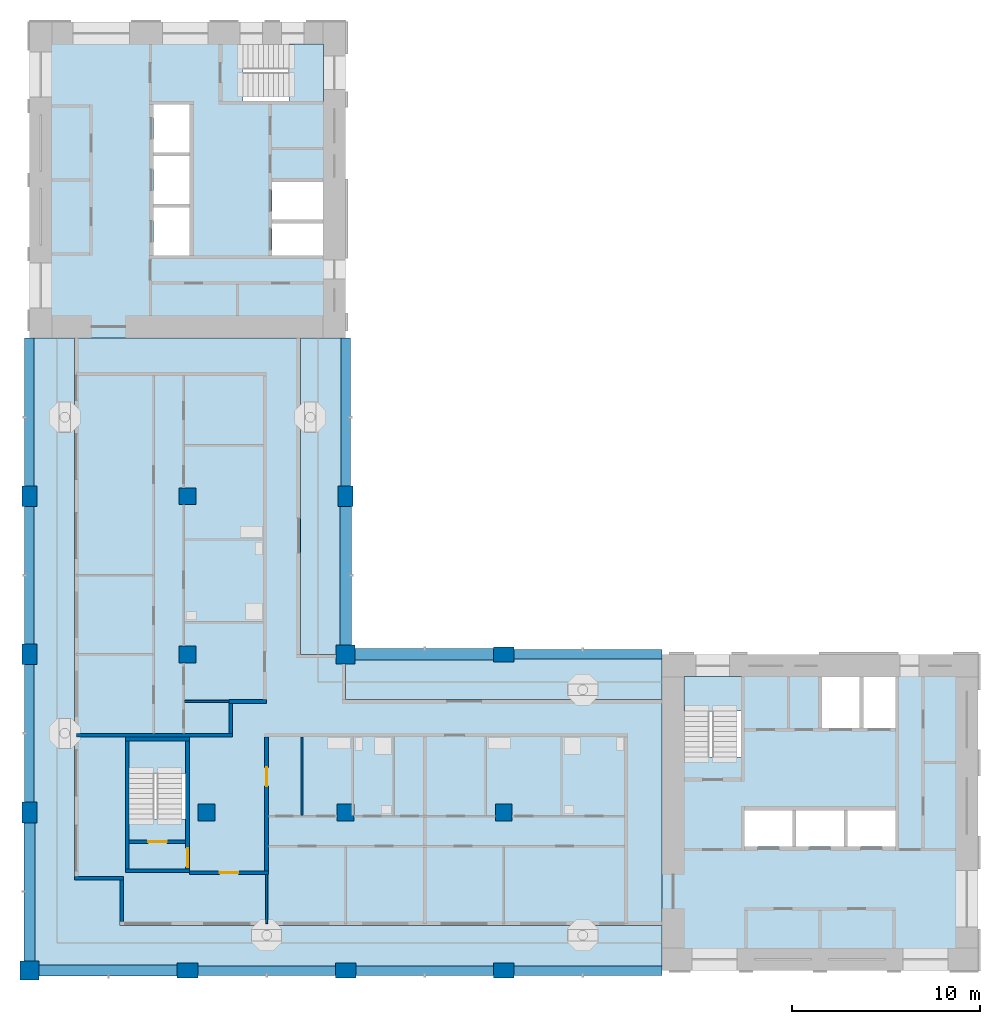
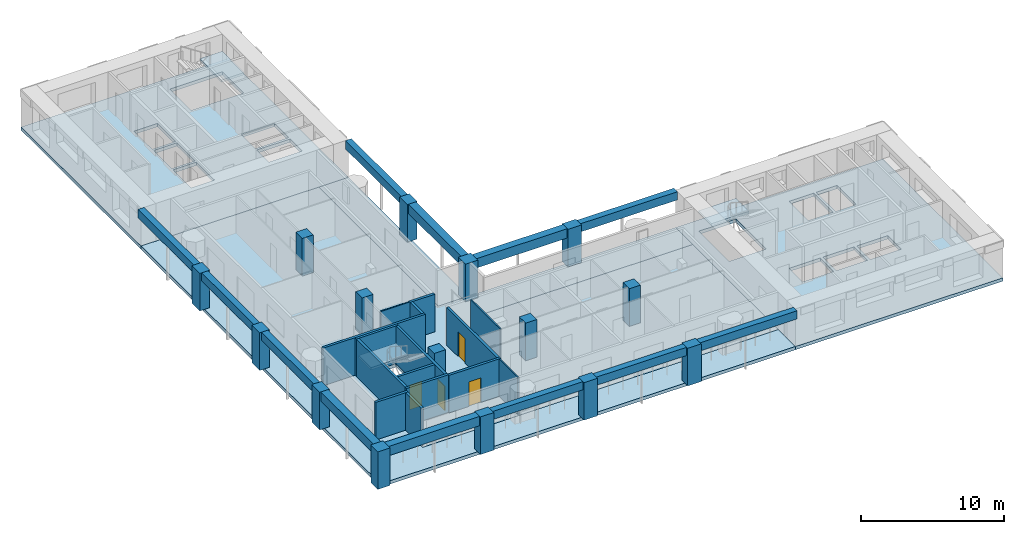
# One storey, part 1 of 11: 15 columns, 15 walls, 12 beams, 10 slabs, 4 doors, 4 openings, 3 elements without a shape of their own.
"""IFC4 building model written with IfcOpenShell, lengths in metres."""

from ifc_helpers import new_model, si_unit, direction, frame, frame_2d, origin, origin_2d, place, context, subcontext, project, spatial, polyline, rectangle, outline, extrude, material, layer, layer_set, material_profile, profile_set, type_object, element, fill, aggregate, save


model = new_model("IFC4")

# Units and contexts
model_context = context("Model", 3, precision=1e-05, world=origin(), true_north=direction((0.0, 1.0)))
body_context = subcontext(model_context, "Body", "Model", "MODEL_VIEW")
ifc_project = project(units=[si_unit("LENGTHUNIT", "METRE"), si_unit("AREAUNIT", "SQUARE_METRE"), si_unit("VOLUMEUNIT", "CUBIC_METRE"), si_unit("PLANEANGLEUNIT", "RADIAN"), si_unit("MASSUNIT", "GRAM", prefix="KILO")], contexts=[model_context])

# Site, building, storey
site_placement = place(None, origin())
site = spatial("IfcSite", under=ifc_project, at=site_placement, CompositionType="ELEMENT")
building_placement = place(site_placement, origin())
building = spatial("IfcBuilding", under=site, at=building_placement, Name="Vermilion Gate Residences", CompositionType="ELEMENT")
storey_placement = place(building_placement, frame((0.0, 0.0, 259.699951171875)))
storey = spatial("IfcBuildingStorey", under=building, at=storey_placement, Name="L68", CompositionType="ELEMENT", Elevation=259.699951171875)

# Columns
ifc_material_1 = material(Name="Concrete C50", Category="concrete")
ifc_material_profile_1 = material_profile(ifc_material_1, rectangle(XDim=1.0, YDim=1.0, at=origin_2d()), Name="RC-1000x1000")
ifc_profile_set_1 = profile_set([ifc_material_profile_1], Name="Concrete C50")
column_type_1 = type_object("IfcColumnType", Name="RC COLUMN 1000 X 1000 C50", PredefinedType="COLUMN", material=ifc_profile_set_1)
for number, where, z_axis, x_axis, name in (
    (1, (8.39990234375, 8.39990234375, 0.0), (0.0, 0.0, 1.0), (1.0, 0.0, 0.0), "Column 2-B L68"),
    (2, (25.199951171875, 25.199951171875, 0.0), (0.0, 0.0, 1.0), (1.0, 0.0, 0.0), "Column 4-D L68"),
):
    element("IfcColumn", number, at=place(storey_placement, frame(where, z_axis=z_axis, x_axis=x_axis)), inside=storey, type_object=column_type_1, Name=name, PredefinedType="COLUMN", context=body_context, shape_type="SweptSolid", body=[
        extrude(rectangle(XDim=1.0, YDim=1.0, at=origin_2d()), origin(), (0.0, 0.0, 1.0), 3.219970703125),
    ])
ifc_material_2 = material(Name="Concrete C50", Category="concrete")
ifc_material_profile_2 = material_profile(ifc_material_2, rectangle(XDim=1.10009765625, YDim=0.800048828125, at=origin_2d()), Name="RC-1100x800")
ifc_profile_set_2 = profile_set([ifc_material_profile_2], Name="Concrete C50")
column_type_2 = type_object("IfcColumnType", Name="RC COLUMN 1100 X 800 C50", PredefinedType="COLUMN", material=ifc_profile_set_2)
for number, where, z_axis, x_axis, name in (
    (3, (8.39990234375, 16.800048828125, 0.0), (0.0, 0.0, 1.0), (0.0, 1.0, 0.0), "Column 2-C L68"),
    (4, (8.39990234375, 25.199951171875, 0.0), (0.0, 0.0, 1.0), (0.0, 1.0, 0.0), "Column 2-D L68"),
    (5, (8.39990234375, 33.60009765625, 0.0), (0.0, 0.0, 1.0), (0.0, 1.0, 0.0), "Column 2-E L68"),
    (6, (16.800048828125, 8.39990234375, 0.0), (0.0, 0.0, 1.0), (1.0, 0.0, 0.0), "Column 3-B L68"),
    (7, (25.199951171875, 8.39990234375, 0.0), (0.0, 0.0, 1.0), (1.0, 0.0, 0.0), "Column 4-B L68"),
    (8, (25.199951171875, 33.60009765625, 0.0), (0.0, 0.0, 1.0), (0.0, 1.0, 0.0), "Column 4-E L68"),
    (9, (33.60009765625, 8.39990234375, 0.0), (0.0, 0.0, 1.0), (1.0, 0.0, 0.0), "Column 5-B L68"),
    (10, (33.60009765625, 25.199951171875, 0.0), (0.0, 0.0, 1.0), (1.0, 0.0, 0.0), "Column 5-D L68"),
):
    element("IfcColumn", number, at=place(storey_placement, frame(where, z_axis=z_axis, x_axis=x_axis)), inside=storey, type_object=column_type_2, Name=name, PredefinedType="COLUMN", context=body_context, shape_type="SweptSolid", body=[
        extrude(rectangle(XDim=1.10009765625, YDim=0.800048828125, at=origin_2d()), origin(), (0.0, 0.0, 1.0), 3.219970703125),
    ])
ifc_material_3 = material(Name="Concrete C50", Category="concrete")
ifc_material_profile_3 = material_profile(ifc_material_3, rectangle(XDim=0.89990234375, YDim=0.89990234375, at=origin_2d()), Name="RC-900x900")
ifc_profile_set_3 = profile_set([ifc_material_profile_3], Name="Concrete C50")
column_type_3 = type_object("IfcColumnType", Name="RC COLUMN 900 X 900 C50", PredefinedType="COLUMN", material=ifc_profile_set_3)
for number, where, z_axis, x_axis, name in (
    (11, (17.800048828125, 16.800048828125, 0.0), (0.0, 0.0, 1.0), (1.0, 0.0, 0.0), "Column 3-C L68"),
    (12, (16.800048828125, 25.199951171875, 0.0), (0.0, 0.0, 1.0), (1.0, 0.0, 0.0), "Column 3-D L68"),
    (13, (16.800048828125, 33.60009765625, 0.0), (0.0, 0.0, 1.0), (1.0, 0.0, 0.0), "Column 3-E L68"),
    (14, (25.199951171875, 16.800048828125, 0.0), (0.0, 0.0, 1.0), (1.0, 0.0, 0.0), "Column 4-C L68"),
    (15, (33.60009765625, 16.800048828125, 0.0), (0.0, 0.0, 1.0), (1.0, 0.0, 0.0), "Column 5-C L68"),
):
    element("IfcColumn", number, at=place(storey_placement, frame(where, z_axis=z_axis, x_axis=x_axis)), inside=storey, type_object=column_type_3, Name=name, PredefinedType="COLUMN", context=body_context, shape_type="SweptSolid", body=[
        extrude(rectangle(XDim=0.89990234375, YDim=0.89990234375, at=origin_2d()), origin(), (0.0, 0.0, 1.0), 3.219970703125),
    ])

# Beams
ifc_material_4 = material(Name="Concrete C60 red-oxide pigmented", Category="concrete")
ifc_material_profile_4 = material_profile(ifc_material_4, rectangle(XDim=0.60009765625, YDim=0.800048828125, at=origin_2d()), Name="RC-600x800")
ifc_profile_set_4 = profile_set([ifc_material_profile_4], Name="Concrete C60 red-oxide pigmented")
beam_type_1 = type_object("IfcBeamType", Name="RC CORNER EDGE BEAM 600 X 800 C60", PredefinedType="BEAM", material=ifc_profile_set_4)
for number, where, z_axis, x_axis, name in (
    (16, (8.89990234375, 8.39990234375, 2.820068359375), (1.0, 0.0, 0.0), (0.0, 1.0, 0.0), "Corner edge beam L68 1"),
    (17, (8.39990234375, 8.89990234375, 2.820068359375), (0.0, 1.0, 0.0), (-1.0, 0.0, 0.0), "Corner edge beam L68 2"),
    (18, (25.199951171875, 25.699951171875, 2.820068359375), (0.0, 1.0, 0.0), (-1.0, 0.0, 0.0), "Corner edge beam L68 7"),
    (19, (25.699951171875, 25.199951171875, 2.820068359375), (1.0, 0.0, 0.0), (0.0, 1.0, 0.0), "Corner edge beam L68 10"),
):
    element("IfcBeam", number, at=place(storey_placement, frame(where, z_axis=z_axis, x_axis=x_axis)), inside=storey, type_object=beam_type_1, Name=name, PredefinedType="BEAM", context=body_context, shape_type="SweptSolid", body=[
        extrude(rectangle(XDim=0.60009765625, YDim=0.800048828125, at=origin_2d()), origin(), (0.0, 0.0, 1.0), 7.35009765625),
    ])
ifc_material_5 = material(Name="Concrete C60 red-oxide pigmented", Category="concrete")
ifc_material_profile_5 = material_profile(ifc_material_5, rectangle(XDim=0.5, YDim=0.699951171875, at=origin_2d()), Name="RC-500x700")
ifc_profile_set_5 = profile_set([ifc_material_profile_5], Name="Concrete C60 red-oxide pigmented")
beam_type_2 = type_object("IfcBeamType", Name="RC EDGE BEAM 500 X 700 C60", PredefinedType="BEAM", material=ifc_profile_set_5)
beam_1_placement = place(storey_placement, frame((8.39990234375, 17.35009765625, 2.8701171875), z_axis=(0.0, 1.0, 0.0), x_axis=(-1.0, 0.0, 0.0)))
element("IfcBeam", 20, at=beam_1_placement, inside=storey, type_object=beam_type_2, Name="Edge beam L68 3", PredefinedType="BEAM", context=body_context, shape_type="SweptSolid", body=[
    extrude(rectangle(XDim=0.5, YDim=0.699951171875, at=origin_2d()), origin(), (0.0, 0.0, 1.0), 7.2998046875),
])
beam_2_placement = place(storey_placement, frame((8.39990234375, 25.75, 2.8701171875), z_axis=(0.0, 1.0, 0.0), x_axis=(-1.0, 0.0, 0.0)))
element("IfcBeam", 21, at=beam_2_placement, inside=storey, type_object=beam_type_2, Name="Edge beam L68 4", PredefinedType="BEAM", context=body_context, shape_type="SweptSolid", body=[
    extrude(rectangle(XDim=0.5, YDim=0.699951171875, at=origin_2d()), origin(), (0.0, 0.0, 1.0), 7.300048828125),
])
beam_3_placement = place(storey_placement, frame((8.39990234375, 34.14990234375, 2.8701171875), z_axis=(0.0, 1.0, 0.0), x_axis=(-1.0, 0.0, 0.0)))
element("IfcBeam", 22, at=beam_3_placement, inside=storey, type_object=beam_type_2, Name="Edge beam L68 5", PredefinedType="BEAM", context=body_context, shape_type="SweptSolid", body=[
    extrude(rectangle(XDim=0.5, YDim=0.699951171875, at=origin_2d()), origin(), (0.0, 0.0, 1.0), 7.85009765625),
])
beam_4_placement = place(storey_placement, frame((17.35009765625, 8.39990234375, 2.8701171875), z_axis=(1.0, 0.0, 0.0), x_axis=(0.0, 1.0, 0.0)))
element("IfcBeam", 23, at=beam_4_placement, inside=storey, type_object=beam_type_2, Name="Edge beam L68 6", PredefinedType="BEAM", context=body_context, shape_type="SweptSolid", body=[
    extrude(rectangle(XDim=0.5, YDim=0.699951171875, at=origin_2d()), origin(), (0.0, 0.0, 1.0), 7.2998046875),
])
beam_5_placement = place(storey_placement, frame((25.199951171875, 34.14990234375, 2.8701171875), z_axis=(0.0, 1.0, 0.0), x_axis=(-1.0, 0.0, 0.0)))
element("IfcBeam", 24, at=beam_5_placement, inside=storey, type_object=beam_type_2, Name="Edge beam L68 8", PredefinedType="BEAM", context=body_context, shape_type="SweptSolid", body=[
    extrude(rectangle(XDim=0.5, YDim=0.699951171875, at=origin_2d()), origin(), (0.0, 0.0, 1.0), 7.85009765625),
])
beam_6_placement = place(storey_placement, frame((25.75, 8.39990234375, 2.8701171875), z_axis=(1.0, 0.0, 0.0), x_axis=(0.0, 1.0, 0.0)))
element("IfcBeam", 25, at=beam_6_placement, inside=storey, type_object=beam_type_2, Name="Edge beam L68 9", PredefinedType="BEAM", context=body_context, shape_type="SweptSolid", body=[
    extrude(rectangle(XDim=0.5, YDim=0.699951171875, at=origin_2d()), origin(), (0.0, 0.0, 1.0), 7.300048828125),
])
for number, where, z_axis, x_axis, name in (
    (26, (34.14990234375, 8.39990234375, 2.8701171875), (1.0, 0.0, 0.0), (0.0, 1.0, 0.0), "Edge beam L68 11"),
    (27, (34.14990234375, 25.199951171875, 2.8701171875), (1.0, 0.0, 0.0), (0.0, 1.0, 0.0), "Edge beam L68 12"),
):
    element("IfcBeam", number, at=place(storey_placement, frame(where, z_axis=z_axis, x_axis=x_axis)), inside=storey, type_object=beam_type_2, Name=name, PredefinedType="BEAM", context=body_context, shape_type="SweptSolid", body=[
        extrude(rectangle(XDim=0.5, YDim=0.699951171875, at=origin_2d()), origin(), (0.0, 0.0, 1.0), 7.85009765625),
    ])

# Slabs
ifc_material_6 = material(Name="Concrete C50", Category="concrete")
ifc_layer_1 = layer(ifc_material_6, 0.280029296875)
ifc_layer_set_1 = layer_set([ifc_layer_1], Name="RC CORE FLOOR SLAB 280 C50")
slab_type_1 = type_object("IfcSlabType", Name="RC CORE FLOOR SLAB 280 C50", PredefinedType="FLOOR", material=ifc_layer_set_1)
slab_1_placement = place(storey_placement, frame((0.0, 0.0, -0.280029296875)))
element("IfcSlab", 28, at=slab_1_placement, inside=storey, type_object=slab_type_1, Name="Core floor slab A68", PredefinedType="FLOOR", context=body_context, shape_type="SweptSolid", body=[
    extrude(outline(polyline([(42.0, 8.39990234375), (58.800048828125, 8.39990234375), (58.800048828125, 25.199951171875), (42.0, 25.199951171875), (42.0, 8.39990234375)]), holes=[polyline([(46.39990234375, 15.0), (46.39990234375, 16.89990234375), (48.933349609375, 16.89990234375), (48.933349609375, 15.0), (46.39990234375, 15.0)]), polyline([(49.13330078125, 16.89990234375), (51.666748046875, 16.89990234375), (51.666748046875, 15.0), (49.13330078125, 15.0), (49.13330078125, 16.89990234375)]), polyline([(51.86669921875, 16.89990234375), (54.39990234375, 16.89990234375), (54.39990234375, 15.0), (51.86669921875, 15.0), (51.86669921875, 16.89990234375)]), polyline([(43.199951171875, 19.75), (43.199951171875, 24.0), (46.199951171875, 24.0), (46.199951171875, 19.75), (43.199951171875, 19.75)]), polyline([(50.5, 24.0), (52.5, 24.0), (52.5, 21.300048828125), (50.5, 21.300048828125), (50.5, 24.0)]), polyline([(52.699951171875, 24.0), (54.39990234375, 24.0), (54.39990234375, 21.300048828125), (52.699951171875, 21.300048828125), (52.699951171875, 24.0)])]), origin(), (0.0, 0.0, 1.0), 0.280029296875),
])
slab_2_placement = place(storey_placement, frame((0.0, 0.0, -0.280029296875)))
element("IfcSlab", 29, at=slab_2_placement, inside=storey, type_object=slab_type_1, Name="Core floor slab B68", PredefinedType="FLOOR", context=body_context, shape_type="SweptSolid", body=[
    extrude(outline(polyline([(8.39990234375, 42.0), (25.199951171875, 42.0), (25.199951171875, 58.800048828125), (8.39990234375, 58.800048828125), (8.39990234375, 42.0)]), holes=[polyline([(21.300048828125, 46.39990234375), (21.300048828125, 48.10009765625), (24.0, 48.10009765625), (24.0, 46.39990234375), (21.300048828125, 46.39990234375)]), polyline([(15.0, 48.933349609375), (16.89990234375, 48.933349609375), (16.89990234375, 46.39990234375), (15.0, 46.39990234375), (15.0, 48.933349609375)]), polyline([(21.300048828125, 50.300048828125), (24.0, 50.300048828125), (24.0, 48.300048828125), (21.300048828125, 48.300048828125), (21.300048828125, 50.300048828125)]), polyline([(15.0, 49.13330078125), (15.0, 51.666748046875), (16.89990234375, 51.666748046875), (16.89990234375, 49.13330078125), (15.0, 49.13330078125)]), polyline([(15.0, 54.39990234375), (16.89990234375, 54.39990234375), (16.89990234375, 51.86669921875), (15.0, 51.86669921875), (15.0, 54.39990234375)]), polyline([(19.75, 57.60009765625), (24.0, 57.60009765625), (24.0, 54.60009765625), (19.75, 54.60009765625), (19.75, 57.60009765625)])]), origin(), (0.0, 0.0, 1.0), 0.280029296875),
])
slab_3_placement = place(storey_placement, frame((0.0, 0.0, -0.280029296875)))
element("IfcSlab", 30, at=slab_3_placement, inside=storey, type_object=slab_type_1, Name="Apex stair floor slab 68", PredefinedType="FLOOR", context=body_context, shape_type="SweptSolid", body=[
    extrude(outline(polyline([(13.5, 13.60009765625), (16.89990234375, 13.60009765625), (16.89990234375, 20.800048828125), (13.5, 20.800048828125), (13.5, 13.60009765625)]), holes=[polyline([(16.699951171875, 20.60009765625), (16.699951171875, 16.449951171875), (13.699951171875, 16.449951171875), (13.699951171875, 20.60009765625), (16.699951171875, 20.60009765625)])]), origin(), (0.0, 0.0, 1.0), 0.280029296875),
])
ifc_material_7 = material(Name="Concrete C50", Category="concrete")
ifc_layer_2 = layer(ifc_material_7, 0.280029296875)
ifc_layer_set_2 = layer_set([ifc_layer_2], Name="RC FLAT PLATE 280 C50")
slab_type_2 = type_object("IfcSlabType", Name="RC FLAT PLATE 280 C50", PredefinedType="FLOOR", material=ifc_layer_set_2)
slab_4_placement = place(storey_placement, frame((0.0, 0.0, -0.280029296875)))
element("IfcSlab", 31, at=slab_4_placement, inside=storey, type_object=slab_type_2, Name="Floor slab L68", PredefinedType="FLOOR", context=body_context, shape_type="SweptSolid", body=[
    extrude(outline(polyline([(22.800048828125, 25.199951171875), (22.800048828125, 42.0), (10.800048828125, 42.0), (10.800048828125, 13.199951171875), (13.199951171875, 13.199951171875), (13.199951171875, 10.800048828125), (42.0, 10.800048828125), (42.0, 22.800048828125), (25.199951171875, 22.800048828125), (25.199951171875, 25.199951171875), (22.800048828125, 25.199951171875)]), holes=[polyline([(13.5, 13.60009765625), (13.5, 20.800048828125), (16.89990234375, 20.800048828125), (16.89990234375, 13.60009765625), (13.5, 13.60009765625)])]), origin(), (0.0, 0.0, 1.0), 0.280029296875),
])
ifc_material_8 = material(Name="Concrete C50 red-oxide pigmented", Category="concrete")
ifc_layer_3 = layer(ifc_material_8, 0.280029296875)
ifc_layer_set_3 = layer_set([ifc_layer_3], Name="RC LOGGIA SLAB 280 C50")
slab_type_3 = type_object("IfcSlabType", Name="RC LOGGIA SLAB 280 C50", PredefinedType="FLOOR", material=ifc_layer_set_3)
slab_5_placement = place(storey_placement, frame((0.0, 0.0, -0.280029296875)))
element("IfcSlab", 32, at=slab_5_placement, inside=storey, type_object=slab_type_3, Name="Loggia slab L68", PredefinedType="FLOOR", context=body_context, shape_type="SweptSolid", body=[
    extrude(outline(polyline([(8.39990234375, 8.39990234375), (42.0, 8.39990234375), (42.0, 10.800048828125), (13.199951171875, 10.800048828125), (13.199951171875, 13.199951171875), (10.800048828125, 13.199951171875), (10.800048828125, 42.0), (8.39990234375, 42.0), (8.39990234375, 8.39990234375)])), origin(), (0.0, 0.0, 1.0), 0.280029296875),
])
slab_6_placement = place(storey_placement, frame((0.0, 0.0, -0.280029296875)))
element("IfcSlab", 33, at=slab_6_placement, inside=storey, type_object=slab_type_3, Name="Loggia slab L68", PredefinedType="FLOOR", context=body_context, shape_type="SweptSolid", body=[
    extrude(outline(polyline([(25.199951171875, 22.800048828125), (42.0, 22.800048828125), (42.0, 25.199951171875), (25.199951171875, 25.199951171875), (25.199951171875, 22.800048828125)])), origin(), (0.0, 0.0, 1.0), 0.280029296875),
])
slab_7_placement = place(storey_placement, frame((0.0, 0.0, -0.280029296875)))
element("IfcSlab", 34, at=slab_7_placement, inside=storey, type_object=slab_type_3, Name="Loggia slab L68", PredefinedType="FLOOR", context=body_context, shape_type="SweptSolid", body=[
    extrude(outline(polyline([(25.199951171875, 42.0), (22.800048828125, 42.0), (22.800048828125, 25.199951171875), (25.199951171875, 25.199951171875), (25.199951171875, 42.0)])), origin(), (0.0, 0.0, 1.0), 0.280029296875),
])

# Stair, slab
ifc_material_9 = material(Name="Concrete C50", Category="concrete")
stair_type = type_object("IfcStairType", Name="SPECIAL ESCAPE STAIR 1300", PredefinedType="HALF_TURN_STAIR", material=ifc_material_9)
stair_1_placement = place(storey_placement, origin())
stair_1 = element("IfcStair", 35, at=stair_1_placement, inside=storey, type_object=stair_type, Name="Special escape stair STA1-68", PredefinedType="HALF_TURN_STAIR")
ifc_material_10 = material(Name="Concrete C50", Category="concrete")
ifc_layer_4 = layer(ifc_material_10, 0.199951171875)
ifc_layer_set_4 = layer_set([ifc_layer_4], Name="STAIR LANDING 200 C50")
slab_type_4 = type_object("IfcSlabType", Name="STAIR LANDING 200 C50", PredefinedType="LANDING", material=ifc_layer_set_4)
slab_8_placement = place(storey_placement, frame((0.0, 0.0, 1.550048828125)))
slab_8 = element("IfcSlab", 36, at=slab_8_placement, type_object=slab_type_4, Name="STA1-68 landing 1", PredefinedType="LANDING", context=body_context, shape_type="SweptSolid", body=[
    extrude(outline(polyline([(46.219970703125, 22.179931640625), (46.219970703125, 24.02001953125), (43.179931640625, 24.02001953125), (43.179931640625, 22.179931640625), (46.219970703125, 22.179931640625)])), origin(), (0.0, 0.0, 1.0), 0.199951171875),
])
aggregate(stair_1, [slab_8])

stair_2_placement = place(storey_placement, origin())
stair_2 = element("IfcStair", 37, at=stair_2_placement, inside=storey, type_object=stair_type, Name="Special escape stair STB1-68", PredefinedType="HALF_TURN_STAIR")
slab_9_placement = place(storey_placement, frame((0.0, 0.0, 1.550048828125)))
slab_9 = element("IfcSlab", 38, at=slab_9_placement, type_object=slab_type_4, Name="STB1-68 landing 1", PredefinedType="LANDING", context=body_context, shape_type="SweptSolid", body=[
    extrude(outline(polyline([(24.02001953125, 54.580078125), (24.02001953125, 57.6201171875), (22.179931640625, 57.6201171875), (22.179931640625, 54.580078125), (24.02001953125, 54.580078125)])), origin(), (0.0, 0.0, 1.0), 0.199951171875),
])
aggregate(stair_2, [slab_9])

stair_3_placement = place(storey_placement, origin())
stair_3 = element("IfcStair", 39, at=stair_3_placement, inside=storey, type_object=stair_type, Name="Special escape stair STC1-68", PredefinedType="HALF_TURN_STAIR")
slab_10_placement = place(storey_placement, frame((0.0, 0.0, 1.550048828125)))
slab_10 = element("IfcSlab", 40, at=slab_10_placement, type_object=slab_type_4, Name="STC1-68 landing 1", PredefinedType="LANDING", context=body_context, shape_type="SweptSolid", body=[
    extrude(outline(polyline([(16.719970703125, 18.8798828125), (16.719970703125, 20.6201171875), (13.679931640625, 20.6201171875), (13.679931640625, 18.8798828125), (16.719970703125, 18.8798828125)])), origin(), (0.0, 0.0, 1.0), 0.199951171875),
])
aggregate(stair_3, [slab_10])

# Walls
ifc_material_11 = material(Name="Insulated steel stud wall with terracotta rainscreen", Category="masonry")
ifc_layer_5 = layer(ifc_material_11, 0.199951171875)
ifc_layer_set_5 = layer_set([ifc_layer_5], Name="EXTERNAL WALL 200 TERRACOTTA RAINSCREEN")
wall_type_1 = type_object("IfcWallType", Name="EXTERNAL WALL 200 TERRACOTTA RAINSCREEN", PredefinedType="SOLIDWALL", material=ifc_layer_set_5)
wall_1_placement = place(storey_placement, frame((10.800048828125, 13.300048828125, 0.0), z_axis=(0.0, 0.0, 1.0), x_axis=(1.0, 0.0, 0.0)))
element("IfcWall", 41, at=wall_1_placement, inside=storey, type_object=wall_type_1, Name="External wall", PredefinedType="SOLIDWALL", context=body_context, shape_type="SweptSolid", body=[
    extrude(rectangle(XDim=2.599853515625, YDim=0.199951171875, at=frame_2d((1.2998046875, 0.0))), origin(), (0.0, 0.0, 1.0), 3.219970703125),
])
wall_2_placement = place(storey_placement, frame((13.300048828125, 13.199951171875, 0.0), z_axis=(0.0, 0.0, 1.0), x_axis=(0.0, -1.0, 0.0)))
element("IfcWall", 42, at=wall_2_placement, inside=storey, type_object=wall_type_1, Name="External wall", PredefinedType="SOLIDWALL", context=body_context, shape_type="SweptSolid", body=[
    extrude(rectangle(XDim=2.199951171875, YDim=0.199951171875, at=frame_2d((1.10009765625, 0.0))), origin(), (0.0, 0.0, 1.0), 3.219970703125),
])
ifc_material_12 = material(Name="Plasterboard on steel studs", Category="steel")
ifc_layer_6 = layer(ifc_material_12, 0.10009765625)
ifc_layer_set_6 = layer_set([ifc_layer_6], Name="PARTITION 100")
wall_type_2 = type_object("IfcWallType", Name="PARTITION 100", PredefinedType="PARTITIONING", material=ifc_layer_set_6)
wall_3_placement = place(storey_placement, frame((16.64990234375, 22.699951171875, 0.0), z_axis=(0.0, 0.0, 1.0), x_axis=(1.0, 0.0, 0.0)))
element("IfcWall", 43, at=wall_3_placement, inside=storey, type_object=wall_type_2, Name="Partition", PredefinedType="PARTITIONING", context=body_context, shape_type="SweptSolid", body=[
    extrude(rectangle(XDim=2.35009765625, YDim=0.10009765625, at=frame_2d((1.175048828125, 0.0))), origin(), (0.0, 0.0, 1.0), 3.219970703125),
])
wall_4_placement = place(storey_placement, frame((21.0, 10.89990234375, 0.0), z_axis=(0.0, 0.0, 1.0), x_axis=(0.0, 1.0, 0.0)))
element("IfcWall", 44, at=wall_4_placement, inside=storey, type_object=wall_type_2, Name="Partition", PredefinedType="PARTITIONING", context=body_context, shape_type="SweptSolid", body=[
    extrude(rectangle(XDim=2.60009765625, YDim=0.10009765625, at=frame_2d((1.300048828125, 0.0))), origin(), (0.0, 0.0, 1.0), 3.219970703125),
])
wall_5_placement = place(storey_placement, frame((22.884033203125, 16.64990234375, 0.0), z_axis=(0.0, 0.0, 1.0), x_axis=(0.0, 1.0, 0.0)))
element("IfcWall", 45, at=wall_5_placement, inside=storey, type_object=wall_type_2, Name="Partition", PredefinedType="PARTITIONING", context=body_context, shape_type="SweptSolid", body=[
    extrude(rectangle(XDim=4.150146484375, YDim=0.10009765625, at=frame_2d((2.0751953125, 0.0))), origin(), (0.0, 0.0, 1.0), 3.219970703125),
])

# Wall, opening, door
ifc_material_13 = material(Name="Fire-rated plasterboard on steel studs", Category="steel")
ifc_layer_7 = layer(ifc_material_13, 0.199951171875)
ifc_layer_set_7 = layer_set([ifc_layer_7], Name="PARTY WALL 200 EI 120")
wall_type_3 = type_object("IfcWallType", Name="PARTY WALL 200 EI 120", PredefinedType="PARTITIONING", material=ifc_layer_set_7)
wall_6_placement = place(storey_placement, frame((16.89990234375, 13.60009765625, 0.0), z_axis=(0.0, 0.0, 1.0), x_axis=(1.0, 0.0, 0.0)))
wall_6 = element("IfcWall", 46, at=wall_6_placement, inside=storey, type_object=wall_type_3, Name="Party and corridor wall", PredefinedType="PARTITIONING", context=body_context, shape_type="SweptSolid", body=[
    extrude(rectangle(XDim=4.2001953125, YDim=0.199951171875, at=frame_2d((2.10009765625, 0.0))), origin(), (0.0, 0.0, 1.0), 3.219970703125),
])
opening_1_placement = place(wall_6_placement, frame((1.60009765625, 0.0, 0.0)))
opening_1 = element("IfcOpeningElement", 47, at=opening_1_placement, cuts=wall_6, Name="Opening DA67001", PredefinedType="OPENING", context=body_context, shape_type="SweptSolid", body=[
    extrude(rectangle(XDim=1.0, YDim=2.10009765625, at=frame_2d((0.5, 1.050048828125))), frame((0.0, 0.10986328125, 0.0), z_axis=(0.0, -1.0, 0.0), x_axis=(1.0, 0.0, 0.0)), (0.0, 0.0, 1.0), 0.219970703125),
])
ifc_material_14 = material(Name="Steel", Category="steel")
door_type_1 = type_object("IfcDoorType", Name="ENTRANCE DOOR 1000 X 2100 FD30", OperationType="SINGLE_SWING_LEFT", PredefinedType="DOOR", material=ifc_material_14)
door_1_placement = place(opening_1_placement, frame((1.0, 0.0, 0.0), z_axis=(0.0, 0.0, 1.0), x_axis=(-1.0, 0.0, 0.0)))
door_1 = element("IfcDoor", 48, at=door_1_placement, inside=storey, type_object=door_type_1, Name="Entrance door", OperationType="SINGLE_SWING_LEFT", OverallHeight=2.10009765625, OverallWidth=1.0, PredefinedType="DOOR", context=body_context, shape_type="SweptSolid", body=[
    extrude(rectangle(XDim=1.0, YDim=2.10009765625, at=frame_2d((0.5, 1.050048828125))), frame((0.0, 0.02490234375, 0.0), z_axis=(0.0, -1.0, 0.0), x_axis=(1.0, 0.0, 0.0)), (0.0, 0.0, 1.0), 0.050048828125),
])
fill(opening_1, door_1)

# Walls
wall_7_placement = place(storey_placement, frame((10.89990234375, 20.89990234375, 0.0), z_axis=(0.0, 0.0, 1.0), x_axis=(1.0, 0.0, 0.0)))
element("IfcWall", 49, at=wall_7_placement, inside=storey, type_object=wall_type_3, Name="Party and corridor wall", PredefinedType="PARTITIONING", context=body_context, shape_type="SweptSolid", body=[
    extrude(rectangle(XDim=8.300048828125, YDim=0.199951171875, at=frame_2d((4.14990234375, 0.0))), origin(), (0.0, 0.0, 1.0), 3.219970703125),
])
wall_8_placement = place(storey_placement, frame((19.0, 22.699951171875, 0.0), z_axis=(0.0, 0.0, 1.0), x_axis=(1.0, 0.0, 0.0)))
element("IfcWall", 50, at=wall_8_placement, inside=storey, type_object=wall_type_3, Name="Party and corridor wall", PredefinedType="PARTITIONING", context=body_context, shape_type="SweptSolid", body=[
    extrude(rectangle(XDim=2.0, YDim=0.199951171875, at=frame_2d((1.0, 0.0))), origin(), (0.0, 0.0, 1.0), 3.219970703125),
])
wall_9_placement = place(storey_placement, frame((19.10009765625, 21.0, 0.0), z_axis=(0.0, 0.0, 1.0), x_axis=(0.0, 1.0, 0.0)))
element("IfcWall", 51, at=wall_9_placement, inside=storey, type_object=wall_type_3, Name="Party and corridor wall", PredefinedType="PARTITIONING", context=body_context, shape_type="SweptSolid", body=[
    extrude(rectangle(XDim=1.60009765625, YDim=0.199951171875, at=frame_2d((0.800048828125, 0.0))), origin(), (0.0, 0.0, 1.0), 3.219970703125),
])

# Wall, opening, door
wall_10_placement = place(storey_placement, frame((21.0, 13.699951171875, 0.0), z_axis=(0.0, 0.0, 1.0), x_axis=(0.0, 1.0, 0.0)))
wall_10 = element("IfcWall", 52, at=wall_10_placement, inside=storey, type_object=wall_type_3, Name="Party and corridor wall", PredefinedType="PARTITIONING", context=body_context, shape_type="SweptSolid", body=[
    extrude(rectangle(XDim=7.10009765625, YDim=0.199951171875, at=frame_2d((3.550048828125, 0.0))), origin(), (0.0, 0.0, 1.0), 3.219970703125),
])
opening_2_placement = place(wall_10_placement, frame((4.5, 0.0, 0.0)))
opening_2 = element("IfcOpeningElement", 53, at=opening_2_placement, cuts=wall_10, Name="Opening DA67023", PredefinedType="OPENING", context=body_context, shape_type="SweptSolid", body=[
    extrude(rectangle(XDim=1.0, YDim=2.10009765625, at=frame_2d((0.5, 1.050048828125))), frame((0.0, 0.10986328125, 0.0), z_axis=(0.0, -1.0, 0.0), x_axis=(1.0, 0.0, 0.0)), (0.0, 0.0, 1.0), 0.219970703125),
])
door_2_placement = place(opening_2_placement, frame((1.0, 0.0, 0.0), z_axis=(0.0, 0.0, 1.0), x_axis=(-1.0, 0.0, 0.0)))
door_2 = element("IfcDoor", 54, at=door_2_placement, inside=storey, type_object=door_type_1, Name="Entrance door", OperationType="SINGLE_SWING_RIGHT", OverallHeight=2.10009765625, OverallWidth=1.0, PredefinedType="DOOR", context=body_context, shape_type="SweptSolid", body=[
    extrude(rectangle(XDim=1.0, YDim=2.10009765625, at=frame_2d((0.5, 1.050048828125))), frame((0.0, 0.02490234375, 0.0), z_axis=(0.0, -1.0, 0.0), x_axis=(1.0, 0.0, 0.0)), (0.0, 0.0, 1.0), 0.050048828125),
])
fill(opening_2, door_2)

# Wall
ifc_material_15 = material(Name="Concrete C60", Category="concrete")
ifc_layer_8 = layer(ifc_material_15, 0.199951171875)
ifc_layer_set_8 = layer_set([ifc_layer_8], Name="RC CORE INTERNAL WALL 200 C60")
wall_type_4 = type_object("IfcWallType", Name="RC CORE INTERNAL WALL 200 C60", PredefinedType="SHEAR", material=ifc_layer_set_8)
wall_11_placement = place(storey_placement, frame((13.60009765625, 13.800048828125, 0.0), z_axis=(0.0, 0.0, 1.0), x_axis=(0.0, 1.0, 0.0)))
element("IfcWall", 55, at=wall_11_placement, inside=storey, type_object=wall_type_4, Name="Core internal wall C68-W", PredefinedType="SHEAR", context=body_context, shape_type="SweptSolid", body=[
    extrude(rectangle(XDim=6.800048828125, YDim=0.199951171875, at=frame_2d((3.39990234375, 0.0))), origin(), (0.0, 0.0, 1.0), 3.219970703125),
])

# Wall, opening, door
wall_12_placement = place(storey_placement, frame((16.800048828125, 13.800048828125, 0.0), z_axis=(0.0, 0.0, 1.0), x_axis=(0.0, 1.0, 0.0)))
wall_12 = element("IfcWall", 56, at=wall_12_placement, inside=storey, type_object=wall_type_4, Name="Core internal wall C68-E", PredefinedType="SHEAR", context=body_context, shape_type="SweptSolid", body=[
    extrude(rectangle(XDim=6.800048828125, YDim=0.199951171875, at=frame_2d((3.39990234375, 0.0))), origin(), (0.0, 0.0, 1.0), 3.219970703125),
])
opening_3_placement = place(wall_12_placement, frame((0.10009765625, 0.0, 0.0)))
opening_3 = element("IfcOpeningElement", 57, at=opening_3_placement, cuts=wall_12, Name="Opening DK68201", PredefinedType="OPENING", context=body_context, shape_type="SweptSolid", body=[
    extrude(rectangle(XDim=1.0, YDim=2.10009765625, at=frame_2d((0.5, 1.050048828125))), frame((0.0, 0.10986328125, 0.0), z_axis=(0.0, -1.0, 0.0), x_axis=(1.0, 0.0, 0.0)), (0.0, 0.0, 1.0), 0.219970703125),
])
ifc_material_16 = material(Name="Steel", Category="steel")
door_type_2 = type_object("IfcDoorType", Name="FIRE DOOR FD60 1000 X 2100", OperationType="SINGLE_SWING_LEFT", PredefinedType="DOOR", material=ifc_material_16)
door_3_placement = place(opening_3_placement, frame((1.0, 0.0, 0.0), z_axis=(0.0, 0.0, 1.0), x_axis=(-1.0, 0.0, 0.0)))
door_3 = element("IfcDoor", 58, at=door_3_placement, inside=storey, type_object=door_type_2, Name="Stair vestibule door C68", OperationType="SINGLE_SWING_RIGHT", OverallHeight=2.10009765625, OverallWidth=1.0, PredefinedType="DOOR", context=body_context, shape_type="SweptSolid", body=[
    extrude(rectangle(XDim=1.0, YDim=2.10009765625, at=frame_2d((0.5, 1.050048828125))), frame((0.0, 0.02490234375, 0.0), z_axis=(0.0, -1.0, 0.0), x_axis=(1.0, 0.0, 0.0)), (0.0, 0.0, 1.0), 0.050048828125),
])
fill(opening_3, door_3)

# Walls
for number, where, z_axis, x_axis, name in (
    (59, (13.5, 13.699951171875, 0.0), (0.0, 0.0, 1.0), (1.0, 0.0, 0.0), "Core internal wall C68-S"),
    (60, (13.5, 20.699951171875, 0.0), (0.0, 0.0, 1.0), (1.0, 0.0, 0.0), "Core internal wall C68-N"),
):
    element("IfcWall", number, at=place(storey_placement, frame(where, z_axis=z_axis, x_axis=x_axis)), inside=storey, type_object=wall_type_4, Name=name, PredefinedType="SHEAR", context=body_context, shape_type="SweptSolid", body=[
        extrude(rectangle(XDim=3.39990234375, YDim=0.199951171875, at=frame_2d((1.699951171875, 0.0))), origin(), (0.0, 0.0, 1.0), 3.219970703125),
    ])

# Wall, opening, door
wall_13_placement = place(storey_placement, frame((13.699951171875, 15.25, 0.0), z_axis=(0.0, 0.0, 1.0), x_axis=(1.0, 0.0, 0.0)))
wall_13 = element("IfcWall", 61, at=wall_13_placement, inside=storey, type_object=wall_type_4, Name="Core internal wall C68-P", PredefinedType="SHEAR", context=body_context, shape_type="SweptSolid", body=[
    extrude(rectangle(XDim=3.0, YDim=0.199951171875, at=frame_2d((1.5, 0.0))), origin(), (0.0, 0.0, 1.0), 3.219970703125),
])
opening_4_placement = place(wall_13_placement, frame((1.0, 0.0, 0.0)))
opening_4 = element("IfcOpeningElement", 62, at=opening_4_placement, cuts=wall_13, Name="Opening DK68202", PredefinedType="OPENING", context=body_context, shape_type="SweptSolid", body=[
    extrude(rectangle(XDim=1.0, YDim=2.10009765625, at=frame_2d((0.5, 1.050048828125))), frame((0.0, 0.10986328125, 0.0), z_axis=(0.0, -1.0, 0.0), x_axis=(1.0, 0.0, 0.0)), (0.0, 0.0, 1.0), 0.219970703125),
])
door_4_placement = place(opening_4_placement, origin())
door_4 = element("IfcDoor", 63, at=door_4_placement, inside=storey, type_object=door_type_2, Name="Stair door C68", OperationType="SINGLE_SWING_LEFT", OverallHeight=2.10009765625, OverallWidth=1.0, PredefinedType="DOOR", context=body_context, shape_type="SweptSolid", body=[
    extrude(rectangle(XDim=1.0, YDim=2.10009765625, at=frame_2d((0.5, 1.050048828125))), frame((0.0, 0.02490234375, 0.0), z_axis=(0.0, -1.0, 0.0), x_axis=(1.0, 0.0, 0.0)), (0.0, 0.0, 1.0), 0.050048828125),
])
fill(opening_4, door_4)

save(model, "model.ifc")
